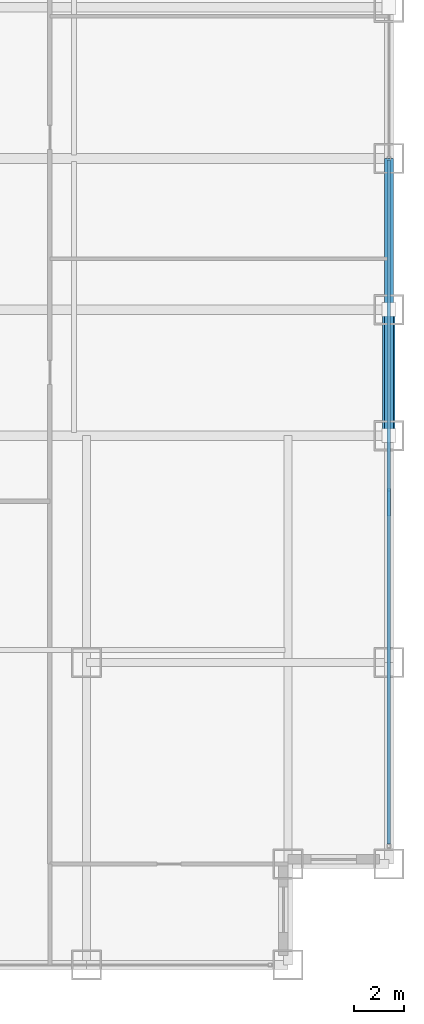
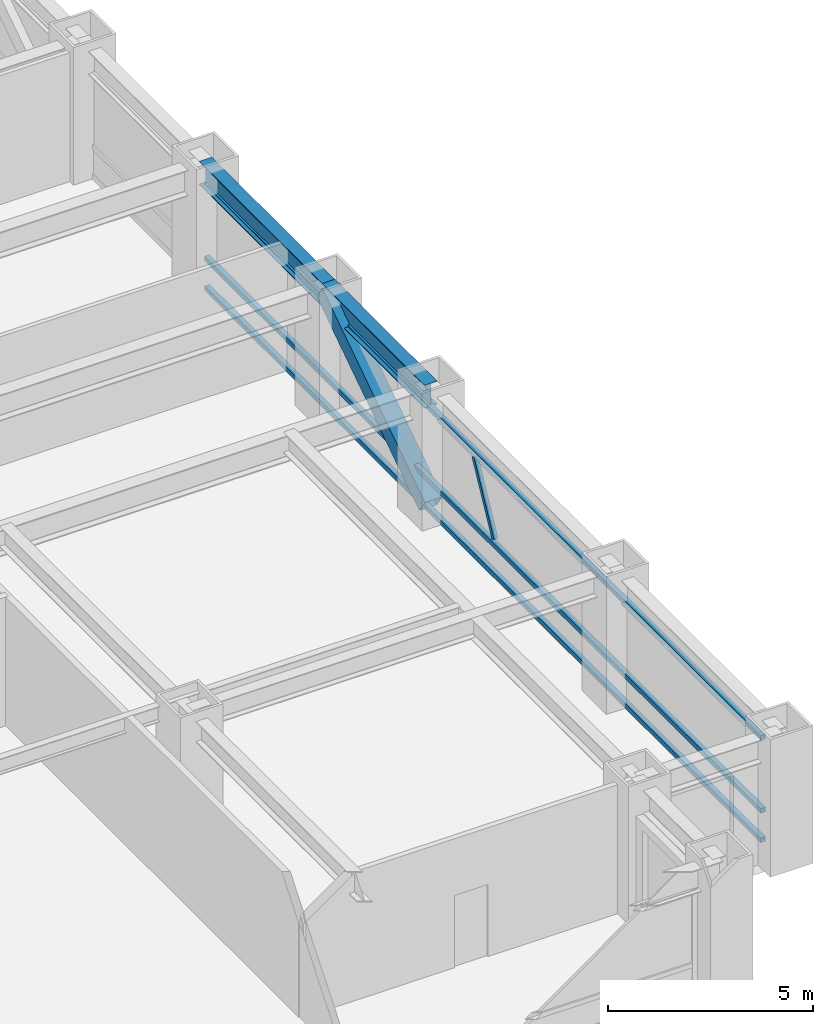
# One storey, part 13 of 27: 5 members, 2 beams, 1 element without a shape of its own.
"""IFC4 building model written with IfcOpenShell, lengths in metres."""

from ifc_helpers import new_model, si_unit, direction, frame, origin, origin_2d, place, context, subcontext, project, spatial, hollow_rectangle, i_section, extrude, source, transform, mapped, material, material_profile, profile_set, type_object, element, aggregate, save


model = new_model("IFC4")

# Units and contexts
model_context = context("Model", 3, precision=1e-05, world=origin(), true_north=direction((0.0, 1.0)))
body_context = subcontext(model_context, "Body", "Model", "MODEL_VIEW")
ifc_project = project(units=[si_unit("LENGTHUNIT", "METRE"), si_unit("AREAUNIT", "SQUARE_METRE"), si_unit("VOLUMEUNIT", "CUBIC_METRE"), si_unit("PLANEANGLEUNIT", "RADIAN"), si_unit("MASSUNIT", "GRAM", prefix="KILO")], contexts=[model_context])

# Site, building, storey
site_placement = place(None, origin())
site = spatial("IfcSite", under=ifc_project, at=site_placement, CompositionType="ELEMENT")
building_placement = place(site_placement, origin())
building = spatial("IfcBuilding", under=site, at=building_placement, Name="Khorayat Bourse Tower", CompositionType="ELEMENT")
storey_placement = place(building_placement, frame((0.0, 0.0, 107.800048828125)))
storey = spatial("IfcBuildingStorey", under=building, at=storey_placement, Name="L24", CompositionType="ELEMENT", Elevation=107.800048828125)

# Beams
ifc_material_1 = material(Name="Steel ASTM A992 Grade 50", Category="steel")
ifc_material_profile_1 = material_profile(ifc_material_1, i_section(OverallWidth=0.35498046875, OverallDepth=0.695068359375, WebThickness=0.015380859375, FlangeThickness=0.02490234375, FilletRadius=0.01806640625, at=origin_2d()), Name="W690X217")
ifc_profile_set_1 = profile_set([ifc_material_profile_1], Name="Steel ASTM A992 Grade 50")
beam_type = type_object("IfcBeamType", Name="BM-SPAN-690", PredefinedType="SPANDREL", material=ifc_profile_set_1)
shared_shape_1 = source(origin(), body_context, "Body", "SweptSolid", [
    extrude(i_section(OverallWidth=0.35498046875, OverallDepth=0.695068359375, WebThickness=0.015380859375, FlangeThickness=0.02490234375, FilletRadius=0.01806640625, at=origin_2d()), origin(), (0.0, 0.0, 1.0), 5.0),
])
beam_1_placement = place(storey_placement, frame((32.0, -11.0, 3.492431640625), z_axis=(0.0, 1.0, 0.0), x_axis=(-1.0, 0.0, 0.0)))
element("IfcBeam", 1, at=beam_1_placement, inside=storey, type_object=beam_type, Name="L24 BM-SPAN-690 BM-L24-SPN-036", PredefinedType="SPANDREL", context=body_context, shape_type="MappedRepresentation", body=[
    mapped(shared_shape_1, transform((0.0, 0.0, 0.0), scale=1.0)),
])
shared_shape_2 = source(origin(), body_context, "Body", "SweptSolid", [
    extrude(i_section(OverallWidth=0.35498046875, OverallDepth=0.695068359375, WebThickness=0.015380859375, FlangeThickness=0.02490234375, FilletRadius=0.01806640625, at=origin_2d()), origin(), (0.0, 0.0, 1.0), 6.0),
])
beam_2_placement = place(storey_placement, frame((32.0, -6.0, 3.492431640625), z_axis=(0.0, 1.0, 0.0), x_axis=(-1.0, 0.0, 0.0)))
element("IfcBeam", 2, at=beam_2_placement, inside=storey, type_object=beam_type, Name="L24 BM-SPAN-690 BM-L24-SPN-037", PredefinedType="SPANDREL", context=body_context, shape_type="MappedRepresentation", body=[
    mapped(shared_shape_2, transform((0.0, 0.0, 0.0), scale=1.0)),
])

# Member
ifc_material_2 = material(Name="Steel EN 10025-4 S460M", Category="steel")
ifc_material_profile_2 = material_profile(ifc_material_2, hollow_rectangle(XDim=0.5, YDim=0.5, WallThickness=0.028076171875, at=origin_2d()), Name="HSS 500x500x28")
ifc_profile_set_2 = profile_set([ifc_material_profile_2], Name="Steel EN 10025-4 S460M")
member_type_1 = type_object("IfcMemberType", Name="MBR-TUBE-500", PredefinedType="BRACE", material=ifc_profile_set_2)
shared_shape_3 = source(origin(), body_context, "Body", "SweptSolid", [
    extrude(hollow_rectangle(XDim=0.5, YDim=0.5, WallThickness=0.028076171875, at=origin_2d()), origin(), (0.0, 0.0, 1.0), 6.012939453125),
])
member_1_placement = place(storey_placement, frame((32.0, -11.0, 0.25), z_axis=(0.0, 0.831550226979, 0.555449565677), x_axis=(-1.0, 0.0, 0.0)))
element("IfcMember", 3, at=member_1_placement, inside=storey, type_object=member_type_1, Name="L24 Perimeter Tube Brace 07", PredefinedType="BRACE", context=body_context, shape_type="MappedRepresentation", body=[
    mapped(shared_shape_3, transform((0.0, 0.0, 0.0), scale=1.0)),
])

# Curtain wall, members
ifc_material_3 = material(Name="Aluminium EN AW-6063 T6", Category="aluminium")
curtain_wall_type = type_object("IfcCurtainWallType", Name="CW-SYS-02", PredefinedType="NOTDEFINED", material=ifc_material_3)
curtain_wall_placement = place(storey_placement, origin())
curtain_wall = element("IfcCurtainWall", 4, at=curtain_wall_placement, inside=storey, type_object=curtain_wall_type, Name="L24 Curtain Wall CW-L24-E1", PredefinedType="NOTDEFINED")
ifc_material_profile_3 = material_profile(ifc_material_3, hollow_rectangle(XDim=0.139892578125, YDim=0.139892578125, WallThickness=0.006103515625, at=origin_2d()), Name="ALU 140x140x6")
ifc_profile_set_3 = profile_set([ifc_material_profile_3], Name="Aluminium EN AW-6063 T6")
member_type_2 = type_object("IfcMemberType", Name="CWT-HORZ-140", PredefinedType="USERDEFINED", material=ifc_profile_set_3)
shared_shape_4 = source(origin(), body_context, "Body", "SweptSolid", [
    extrude(hollow_rectangle(XDim=0.139892578125, YDim=0.139892578125, WallThickness=0.006103515625, at=origin_2d()), origin(), (0.0, 0.0, 1.0), 27.139892578125),
])
member_2_placement = place(storey_placement, frame((32.0, -27.2099609375, 0.070068359375), z_axis=(0.0, 1.0, 0.0), x_axis=(-1.0, 0.0, 0.0)))
member_2 = element("IfcMember", 5, at=member_2_placement, type_object=member_type_2, Name="CW-L24-E1 Horizontal Transom 1-1", ObjectType="TRANSOM", PredefinedType="USERDEFINED", context=body_context, shape_type="MappedRepresentation", body=[
    mapped(shared_shape_4, transform((0.0, 0.0, 0.0), scale=1.0)),
])
member_3_placement = place(storey_placement, frame((32.0, -27.2099609375, 0.949951171875), z_axis=(0.0, 1.0, 0.0), x_axis=(-1.0, 0.0, 0.0)))
member_3 = element("IfcMember", 6, at=member_3_placement, type_object=member_type_2, Name="CW-L24-E1 Horizontal Transom 1-2", ObjectType="TRANSOM", PredefinedType="USERDEFINED", context=body_context, shape_type="MappedRepresentation", body=[
    mapped(shared_shape_4, transform((0.0, 0.0, 0.0), scale=1.0)),
])
member_4_placement = place(storey_placement, frame((32.0, -27.2099609375, 3.119873046875), z_axis=(0.0, 1.0, 0.0), x_axis=(-1.0, 0.0, 0.0)))
member_4 = element("IfcMember", 7, at=member_4_placement, type_object=member_type_2, Name="CW-L24-E1 Horizontal Transom 1-3", ObjectType="TRANSOM", PredefinedType="USERDEFINED", context=body_context, shape_type="MappedRepresentation", body=[
    mapped(shared_shape_4, transform((0.0, 0.0, 0.0), scale=1.0)),
])
ifc_material_profile_4 = material_profile(ifc_material_3, hollow_rectangle(XDim=0.1201171875, YDim=0.1201171875, WallThickness=0.0048828125, at=origin_2d()), Name="ALU 120x120x5")
ifc_profile_set_4 = profile_set([ifc_material_profile_4], Name="Aluminium EN AW-6063 T6")
member_type_3 = type_object("IfcMemberType", Name="CWM-DIAG-120", PredefinedType="MULLION", material=ifc_profile_set_4)
shared_shape_5 = source(origin(), body_context, "Body", "SweptSolid", [
    extrude(hollow_rectangle(XDim=0.1201171875, YDim=0.1201171875, WallThickness=0.0048828125, at=origin_2d()), origin(), (0.0, 0.0, 1.0), 2.11328125),
])
member_5_placement = place(storey_placement, frame((32.0, -14.132080078125, 1.099853515625), z_axis=(0.0, 0.465694055905, 0.884945787207), x_axis=(-1.0, 0.0, 0.0)))
member_5 = element("IfcMember", 8, at=member_5_placement, type_object=member_type_3, Name="CW-L24-E1 Faceted Diagonal Mullion 1", PredefinedType="MULLION", context=body_context, shape_type="MappedRepresentation", body=[
    mapped(shared_shape_5, transform((0.0, 0.0, 0.0), scale=1.0)),
])
aggregate(curtain_wall, [member_2, member_3, member_4, member_5])

save(model, "model.ifc")
